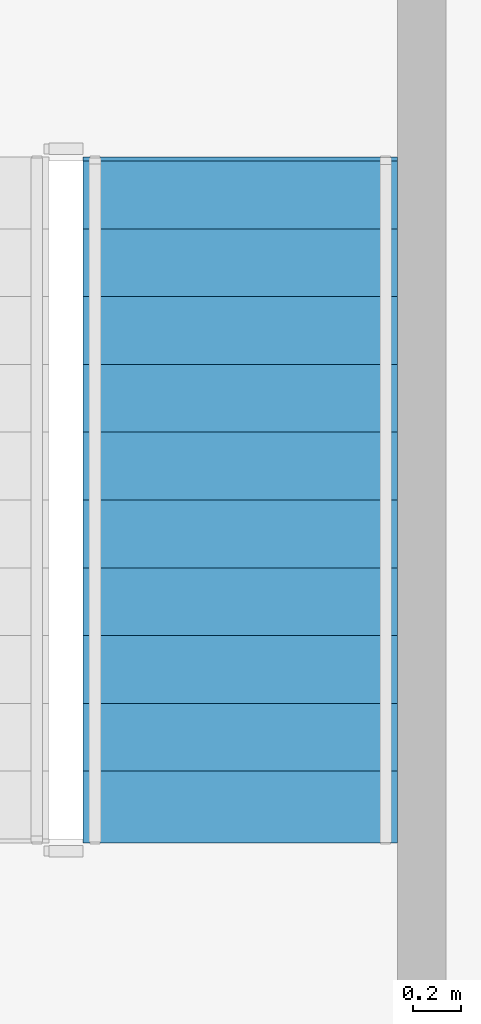
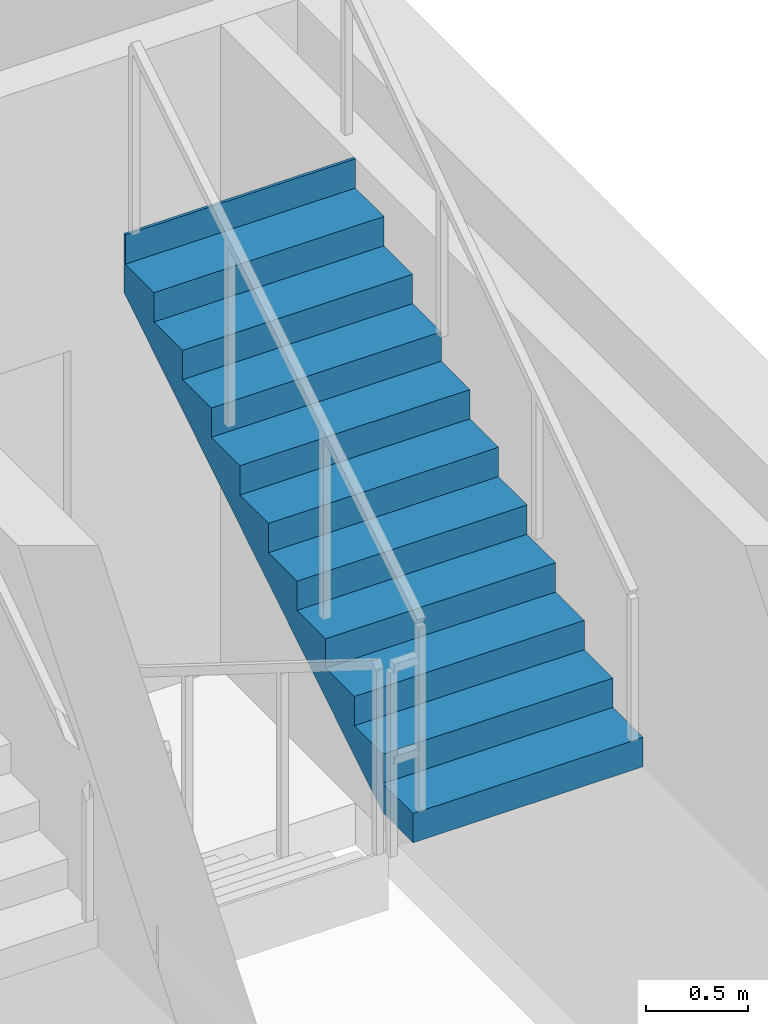
# One storey, part 6 of 8: 1 stair flight, 1 element without a shape of its own.
"""IFC4 building model written with IfcOpenShell, lengths in metres."""

from ifc_helpers import new_model, si_unit, derived_unit, direction, frame, origin, place, context, subcontext, project, spatial, polyline, outline, extrude, source, transform, mapped, material, layer, layer_set, type_object, element, aggregate, save


model = new_model("IFC4")

# Units and contexts
model_context = context("Model", 3, precision=1e-05, world=origin(), true_north=direction((0.0, 1.0)))
body_context = subcontext(model_context, "Body", "Model", "MODEL_VIEW")
ifc_project = project(units=[si_unit("LENGTHUNIT", "METRE"), si_unit("AREAUNIT", "SQUARE_METRE"), si_unit("VOLUMEUNIT", "CUBIC_METRE"), si_unit("PLANEANGLEUNIT", "RADIAN"), si_unit("MASSUNIT", "GRAM", prefix="KILO"), si_unit("THERMODYNAMICTEMPERATUREUNIT", "KELVIN"), si_unit("POWERUNIT", "WATT"), derived_unit("THERMALTRANSMITTANCEUNIT", [(si_unit("POWERUNIT", "WATT"), 1), (si_unit("AREAUNIT", "SQUARE_METRE"), -1), (si_unit("THERMODYNAMICTEMPERATUREUNIT", "KELVIN"), -1)])], contexts=[model_context])

# Site, building, storey
site_placement = place(None, origin())
site = spatial("IfcSite", under=ifc_project, at=site_placement, CompositionType="ELEMENT")
building_placement = place(site_placement, origin())
building = spatial("IfcBuilding", under=site, at=building_placement, Name="Zahravan Archway Hotel and Residences", CompositionType="ELEMENT")
storey_placement = place(building_placement, frame((0.0, 0.0, 228.85009765625)))
storey = spatial("IfcBuildingStorey", under=building, at=storey_placement, Name="L57", CompositionType="ELEMENT", Elevation=228.85009765625)

# Stair, stair flight
ifc_material = material(Name="Concrete C50/60", Category="concrete")
stair_type = type_object("IfcStairType", Name="STR-CORE-1300", PredefinedType="HALF_TURN_STAIR", material=ifc_material)
stair_placement = place(storey_placement, origin())
stair = element("IfcStair", 1, at=stair_placement, inside=storey, type_object=stair_type, Name="L57 Core A Exit Stair 3", PredefinedType="HALF_TURN_STAIR")
ifc_layer = layer(ifc_material, 0.199951171875, Name="Concrete C50/60", Category="concrete")
ifc_layer_set = layer_set([ifc_layer], Name="Concrete C50/60")
stair_flight_type = type_object("IfcStairFlightType", Name="SFL-CORE-1300", PredefinedType="STRAIGHT", material=ifc_layer_set)
shared_shape = source(origin(), body_context, "Body", "SweptSolid", [
    extrude(outline(polyline([(-0.01611328125, 0.0), (-0.01611328125, 0.175048828125), (0.280029296875, 0.175048828125), (0.280029296875, 0.35009765625), (0.56005859375, 0.35009765625), (0.56005859375, 0.52490234375), (0.840087890625, 0.52490234375), (0.840087890625, 0.699951171875), (1.1201171875, 0.699951171875), (1.1201171875, 0.875), (1.39990234375, 0.875), (1.39990234375, 1.050048828125), (1.679931640625, 1.050048828125), (1.679931640625, 1.22509765625), (1.9599609375, 1.22509765625), (1.9599609375, 1.39990234375), (2.239990234375, 1.39990234375), (2.239990234375, 1.574951171875), (2.52001953125, 1.574951171875), (2.52001953125, 1.75), (2.800048828125, 1.75), (2.800048828125, 1.925048828125), (2.816162109375, 1.925048828125), (2.816162109375, 1.5732421875), (0.28271484375, 0.0), (-0.01611328125, 0.0)])), frame((0.0, 0.64990234375, 0.0), z_axis=(0.0, -1.0, 0.0), x_axis=(1.0, 0.0, 0.0)), (0.0, 0.0, 1.0), 1.300048828125),
])
stair_flight_placement = place(storey_placement, frame((48.489990234375, 6.929931640625, 1.9248046875), z_axis=(0.0, 0.0, 1.0), x_axis=(0.0, 1.0, 0.0)))
stair_flight = element("IfcStairFlight", 2, at=stair_flight_placement, type_object=stair_flight_type, Name="ST-A3 flight 2", NumberOfRisers=11, NumberOfTreads=10, PredefinedType="STRAIGHT", RiserHeight=0.175, TreadLength=0.28, context=body_context, shape_type="MappedRepresentation", body=[
    mapped(shared_shape, transform((0.0, 0.0, 0.0), scale=1.0)),
])
aggregate(stair, [stair_flight])

save(model, "model.ifc")
